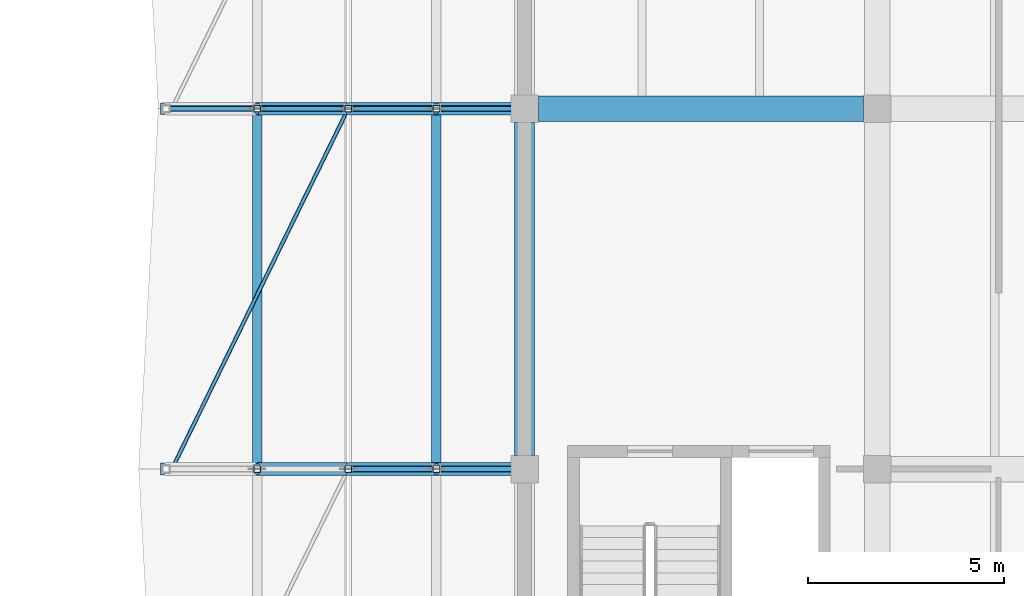
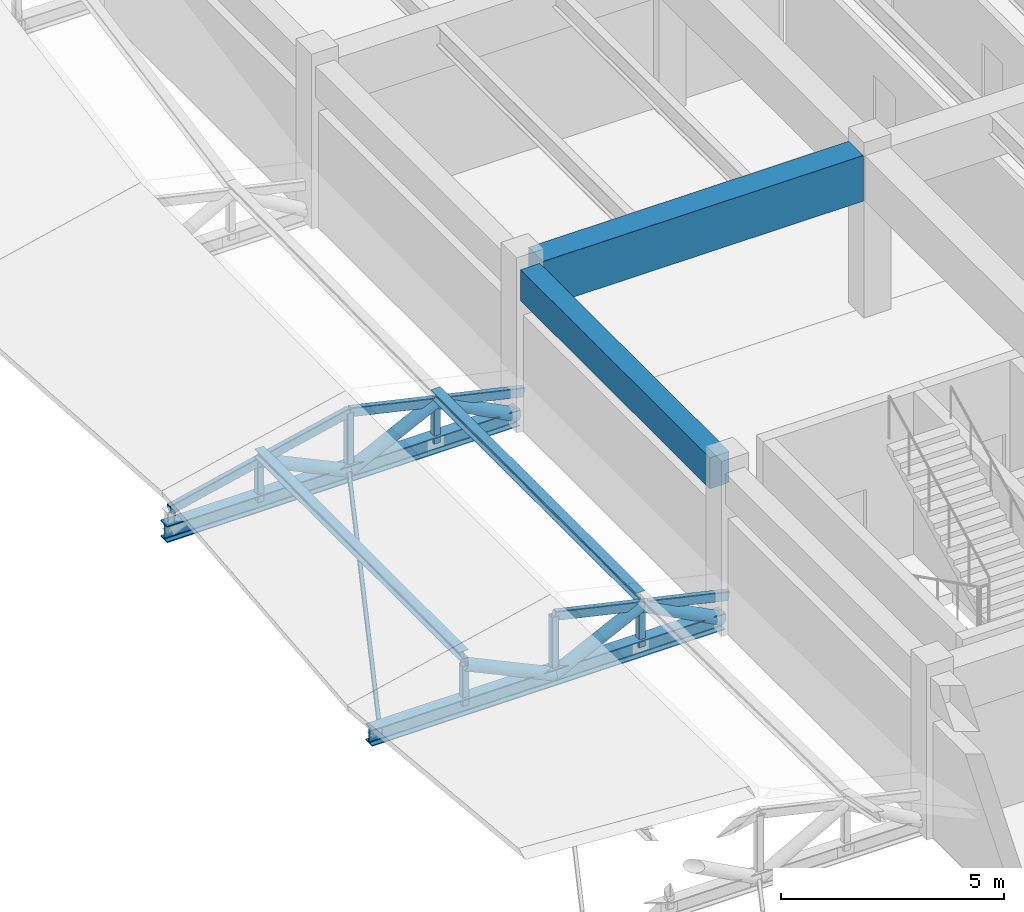
# One storey, part 43 of 90: 18 members, 4 beams.
"""IFC4 building model written with IfcOpenShell, lengths in metres."""

from ifc_helpers import new_model, si_unit, direction, frame, origin, origin_2d, place, context, subcontext, project, spatial, rectangle, hollow_rectangle, hollow_circle, i_section, extrude, material, material_profile, profile_set, type_object, element, save


model = new_model("IFC4")

# Units and contexts
model_context = context("Model", 3, precision=1e-05, world=origin(), true_north=direction((0.0, 1.0)))
body_context = subcontext(model_context, "Body", "Model", "MODEL_VIEW")
ifc_project = project(units=[si_unit("LENGTHUNIT", "METRE"), si_unit("AREAUNIT", "SQUARE_METRE"), si_unit("VOLUMEUNIT", "CUBIC_METRE"), si_unit("PLANEANGLEUNIT", "RADIAN"), si_unit("MASSUNIT", "GRAM", prefix="KILO")], contexts=[model_context])

# Site, building, storey
site_placement = place(None, origin())
site = spatial("IfcSite", under=ifc_project, at=site_placement, CompositionType="ELEMENT")
building_placement = place(site_placement, origin())
building = spatial("IfcBuilding", under=site, at=building_placement, Name="Bozkorgan Art Gallery", CompositionType="ELEMENT")
storey_placement = place(building_placement, frame((0.0, 0.0, 5.39990234375)))
storey = spatial("IfcBuildingStorey", under=building, at=storey_placement, Name="L01", CompositionType="ELEMENT", Elevation=5.39990234375)

# Beams
ifc_material_1 = material(Name="Concrete C35/45", Category="concrete")
ifc_material_profile_1 = material_profile(ifc_material_1, rectangle(XDim=0.64990234375, YDim=1.25, at=origin_2d()), Name="RC 650x1250")
ifc_profile_set_1 = profile_set([ifc_material_profile_1], Name="Concrete C35/45")
beam_type_1 = type_object("IfcBeamType", Name="BEAM-BM-54", PredefinedType="BEAM", material=ifc_profile_set_1)
beam_1_placement = place(storey_placement, frame((137.35009765625, 93.60009765625, 3.815185546875), z_axis=(1.0, 0.0, 0.0), x_axis=(0.0, 1.0, 0.0)))
element("IfcBeam", 1, at=beam_1_placement, inside=storey, type_object=beam_type_1, Name="V5 L01 beam X (137-146, 93.6)", PredefinedType="BEAM", context=body_context, shape_type="SweptSolid", body=[
    extrude(rectangle(XDim=0.64990234375, YDim=1.25, at=origin_2d()), origin(), (0.0, 0.0, 1.0), 8.2998046875),
])
ifc_material_profile_2 = material_profile(ifc_material_1, rectangle(XDim=0.5, YDim=0.85009765625, at=origin_2d()), Name="RC 500x850")
ifc_profile_set_2 = profile_set([ifc_material_profile_2], Name="Concrete C35/45")
beam_type_2 = type_object("IfcBeamType", Name="BEAM-SP-30", PredefinedType="SPANDREL", material=ifc_profile_set_2)
beam_2_placement = place(storey_placement, frame((137.0, 84.75, 4.01513671875), z_axis=(0.0, 1.0, 0.0), x_axis=(-1.0, 0.0, 0.0)))
element("IfcBeam", 2, at=beam_2_placement, inside=storey, type_object=beam_type_2, Name="V5 L01 spandrel Y (137, 84.4-93.6)", PredefinedType="SPANDREL", context=body_context, shape_type="SweptSolid", body=[
    extrude(rectangle(XDim=0.5, YDim=0.85009765625, at=origin_2d()), origin(), (0.0, 0.0, 1.0), 8.5),
])
ifc_material_2 = material(Name="Steel S355J2", Category="steel")
ifc_material_profile_3 = material_profile(ifc_material_2, i_section(OverallWidth=0.300048828125, OverallDepth=0.449951171875, WebThickness=0.013916015625, FlangeThickness=0.02587890625, FilletRadius=0.027099609375, at=origin_2d()), Name="HEB 450")
ifc_profile_set_3 = profile_set([ifc_material_profile_3], Name="Steel S355J2")
beam_type_3 = type_object("IfcBeamType", Name="BEAM-TB-37", PredefinedType="BEAM", material=ifc_profile_set_3)
for number, where, z_axis, x_axis, name in (
    (3, (127.7099609375, 84.39990234375, 0.22509765625), (1.0, 0.0, 0.0), (0.0, 1.0, 0.0), "ROOF-V5-DOCK roof truss 3 bottom chord"),
    (4, (127.7099609375, 93.60009765625, 0.22509765625), (1.0, 0.0, 0.0), (0.0, 1.0, 0.0), "ROOF-V5-DOCK roof truss 4 bottom chord"),
):
    element("IfcBeam", number, at=place(storey_placement, frame(where, z_axis=z_axis, x_axis=x_axis)), inside=storey, type_object=beam_type_3, Name=name, PredefinedType="BEAM", context=body_context, shape_type="SweptSolid", body=[
        extrude(i_section(OverallWidth=0.300048828125, OverallDepth=0.449951171875, WebThickness=0.013916015625, FlangeThickness=0.02587890625, FilletRadius=0.027099609375, at=origin_2d()), origin(), (0.0, 0.0, 1.0), 9.14013671875),
    ])

# Members
ifc_material_profile_4 = material_profile(ifc_material_2, i_section(OverallWidth=0.239990234375, OverallDepth=0.22998046875, WebThickness=0.007568359375, FlangeThickness=0.011962890625, FilletRadius=0.02099609375, at=origin_2d()), Name="HEA 240")
ifc_profile_set_4 = profile_set([ifc_material_profile_4], Name="Steel S355J2")
member_type_1 = type_object("IfcMemberType", Name="MEMBER-PR-93", PredefinedType="PURLIN", material=ifc_profile_set_4)
for number, where, z_axis, x_axis, name in (
    (5, (130.175048828125, 84.39990234375, 1.55126953125), (0.0, 1.0, 0.0), (-1.0, 0.0, 0.0), "ROOF-V5-DOCK roof purlin 3W"),
    (6, (134.75, 84.39990234375, 1.568115234375), (0.0, 1.0, 0.0), (-1.0, 0.0, 0.0), "ROOF-V5-DOCK roof purlin 3E"),
):
    element("IfcMember", number, at=place(storey_placement, frame(where, z_axis=z_axis, x_axis=x_axis)), inside=storey, type_object=member_type_1, Name=name, PredefinedType="PURLIN", context=body_context, shape_type="SweptSolid", body=[
        extrude(i_section(OverallWidth=0.239990234375, OverallDepth=0.22998046875, WebThickness=0.007568359375, FlangeThickness=0.011962890625, FilletRadius=0.02099609375, at=origin_2d()), origin(), (0.0, 0.0, 1.0), 9.2001953125),
    ])
ifc_material_profile_5 = material_profile(ifc_material_2, hollow_rectangle(XDim=0.14990234375, YDim=0.25, WallThickness=0.010009765625, InnerFilletRadius=0.014892578125, OuterFilletRadius=0.02490234375, at=origin_2d()), Name="RHS 250x150x10")
ifc_profile_set_5 = profile_set([ifc_material_profile_5], Name="Steel S355J2")
member_type_2 = type_object("IfcMemberType", Name="MEMBER-TC-35", PredefinedType="CHORD", material=ifc_profile_set_5)
member_1_placement = place(storey_placement, frame((132.5, 84.39990234375, 1.83935546875), z_axis=(0.975145326943, 0.0, -0.221566223375), x_axis=(0.0, 1.0, 0.0)))
element("IfcMember", 7, at=member_1_placement, inside=storey, type_object=member_type_2, Name="ROOF-V5-DOCK roof truss 3 east top chord", PredefinedType="CHORD", context=body_context, shape_type="SweptSolid", body=[
    extrude(hollow_rectangle(XDim=0.14990234375, YDim=0.25, WallThickness=0.010009765625, InnerFilletRadius=0.014892578125, OuterFilletRadius=0.02490234375, at=origin_2d()), origin(), (0.0, 0.0, 1.0), 4.61474609375),
])
member_2_placement = place(storey_placement, frame((127.85009765625, 93.60009765625, 0.782958984375), z_axis=(0.975150958549, 0.0, 0.221541436398), x_axis=(0.0, 1.0, 0.0)))
element("IfcMember", 8, at=member_2_placement, inside=storey, type_object=member_type_2, Name="ROOF-V5-DOCK roof truss 4 west top chord", PredefinedType="CHORD", context=body_context, shape_type="SweptSolid", body=[
    extrude(hollow_rectangle(XDim=0.14990234375, YDim=0.25, WallThickness=0.010009765625, InnerFilletRadius=0.014892578125, OuterFilletRadius=0.02490234375, at=origin_2d()), origin(), (0.0, 0.0, 1.0), 4.768310546875),
])
member_3_placement = place(storey_placement, frame((132.5, 93.60009765625, 1.83935546875), z_axis=(0.975145326943, 0.0, -0.221566223375), x_axis=(0.0, 1.0, 0.0)))
element("IfcMember", 9, at=member_3_placement, inside=storey, type_object=member_type_2, Name="ROOF-V5-DOCK roof truss 4 east top chord", PredefinedType="CHORD", context=body_context, shape_type="SweptSolid", body=[
    extrude(hollow_rectangle(XDim=0.14990234375, YDim=0.25, WallThickness=0.010009765625, InnerFilletRadius=0.014892578125, OuterFilletRadius=0.02490234375, at=origin_2d()), origin(), (0.0, 0.0, 1.0), 4.61474609375),
])
ifc_material_profile_6 = material_profile(ifc_material_2, hollow_rectangle(XDim=0.179931640625, YDim=0.179931640625, WallThickness=0.010009765625, InnerFilletRadius=0.014892578125, OuterFilletRadius=0.02490234375, at=origin_2d()), Name="SHS 180x180x10")
ifc_profile_set_6 = profile_set([ifc_material_profile_6], Name="Steel S355J2")
member_type_3 = type_object("IfcMemberType", Name="MEMBER-TP-98", PredefinedType="POST", material=ifc_profile_set_6)
member_4_placement = place(storey_placement, frame((130.175048828125, 84.39990234375, 0.22509765625), z_axis=(0.0, 0.0, 1.0), x_axis=(1.0, 0.0, 0.0)))
element("IfcMember", 10, at=member_4_placement, inside=storey, type_object=member_type_3, Name="ROOF-V5-DOCK roof truss 3 post 1", PredefinedType="POST", context=body_context, shape_type="SweptSolid", body=[
    extrude(hollow_rectangle(XDim=0.179931640625, YDim=0.179931640625, WallThickness=0.010009765625, InnerFilletRadius=0.014892578125, OuterFilletRadius=0.02490234375, at=origin_2d()), origin(), (0.0, 0.0, 1.0), 1.086181640625),
])
member_5_placement = place(storey_placement, frame((132.5, 84.39990234375, 0.22509765625), z_axis=(0.0, 0.0, 1.0), x_axis=(1.0, 0.0, 0.0)))
element("IfcMember", 11, at=member_5_placement, inside=storey, type_object=member_type_3, Name="ROOF-V5-DOCK roof truss 3 post 2", PredefinedType="POST", context=body_context, shape_type="SweptSolid", body=[
    extrude(hollow_rectangle(XDim=0.179931640625, YDim=0.179931640625, WallThickness=0.010009765625, InnerFilletRadius=0.014892578125, OuterFilletRadius=0.02490234375, at=origin_2d()), origin(), (0.0, 0.0, 1.0), 1.6142578125),
])
member_6_placement = place(storey_placement, frame((134.75, 84.39990234375, 0.22509765625), z_axis=(0.0, 0.0, 1.0), x_axis=(1.0, 0.0, 0.0)))
element("IfcMember", 12, at=member_6_placement, inside=storey, type_object=member_type_3, Name="ROOF-V5-DOCK roof truss 3 post 3", PredefinedType="POST", context=body_context, shape_type="SweptSolid", body=[
    extrude(hollow_rectangle(XDim=0.179931640625, YDim=0.179931640625, WallThickness=0.010009765625, InnerFilletRadius=0.014892578125, OuterFilletRadius=0.02490234375, at=origin_2d()), origin(), (0.0, 0.0, 1.0), 1.10302734375),
])
member_7_placement = place(storey_placement, frame((130.175048828125, 93.60009765625, 0.22509765625), z_axis=(0.0, 0.0, 1.0), x_axis=(1.0, 0.0, 0.0)))
element("IfcMember", 13, at=member_7_placement, inside=storey, type_object=member_type_3, Name="ROOF-V5-DOCK roof truss 4 post 1", PredefinedType="POST", context=body_context, shape_type="SweptSolid", body=[
    extrude(hollow_rectangle(XDim=0.179931640625, YDim=0.179931640625, WallThickness=0.010009765625, InnerFilletRadius=0.014892578125, OuterFilletRadius=0.02490234375, at=origin_2d()), origin(), (0.0, 0.0, 1.0), 1.086181640625),
])
member_8_placement = place(storey_placement, frame((132.5, 93.60009765625, 0.22509765625), z_axis=(0.0, 0.0, 1.0), x_axis=(1.0, 0.0, 0.0)))
element("IfcMember", 14, at=member_8_placement, inside=storey, type_object=member_type_3, Name="ROOF-V5-DOCK roof truss 4 post 2", PredefinedType="POST", context=body_context, shape_type="SweptSolid", body=[
    extrude(hollow_rectangle(XDim=0.179931640625, YDim=0.179931640625, WallThickness=0.010009765625, InnerFilletRadius=0.014892578125, OuterFilletRadius=0.02490234375, at=origin_2d()), origin(), (0.0, 0.0, 1.0), 1.6142578125),
])
member_9_placement = place(storey_placement, frame((134.75, 93.60009765625, 0.22509765625), z_axis=(0.0, 0.0, 1.0), x_axis=(1.0, 0.0, 0.0)))
element("IfcMember", 15, at=member_9_placement, inside=storey, type_object=member_type_3, Name="ROOF-V5-DOCK roof truss 4 post 3", PredefinedType="POST", context=body_context, shape_type="SweptSolid", body=[
    extrude(hollow_rectangle(XDim=0.179931640625, YDim=0.179931640625, WallThickness=0.010009765625, InnerFilletRadius=0.014892578125, OuterFilletRadius=0.02490234375, at=origin_2d()), origin(), (0.0, 0.0, 1.0), 1.10302734375),
])
ifc_material_profile_7 = material_profile(ifc_material_2, hollow_circle(Radius=0.161865234375, WallThickness=0.012451171875, at=origin_2d()), Name="CHS 323.9x12.5")
ifc_profile_set_7 = profile_set([ifc_material_profile_7], Name="Steel S355J2")
member_type_4 = type_object("IfcMemberType", Name="MEMBER-TW-97", PredefinedType="BRACE", material=ifc_profile_set_7)
member_10_placement = place(storey_placement, frame((130.175048828125, 84.39990234375, 1.311279296875), z_axis=(0.906003197804, 0.0, -0.42327084186), x_axis=(0.0, 1.0, 0.0)))
element("IfcMember", 16, at=member_10_placement, inside=storey, type_object=member_type_4, Name="ROOF-V5-DOCK roof truss 3 diagonal 2", PredefinedType="BRACE", context=body_context, shape_type="SweptSolid", body=[
    extrude(hollow_circle(Radius=0.161865234375, WallThickness=0.012451171875, at=origin_2d()), origin(), (0.0, 0.0, 1.0), 2.566162109375),
])
member_11_placement = place(storey_placement, frame((132.5, 84.39990234375, 0.22509765625), z_axis=(0.897907131747, 0.0, 0.44018494154), x_axis=(0.0, 1.0, 0.0)))
element("IfcMember", 17, at=member_11_placement, inside=storey, type_object=member_type_4, Name="ROOF-V5-DOCK roof truss 3 diagonal 3", PredefinedType="BRACE", context=body_context, shape_type="SweptSolid", body=[
    extrude(hollow_circle(Radius=0.161865234375, WallThickness=0.012451171875, at=origin_2d()), origin(), (0.0, 0.0, 1.0), 2.505859375),
])
member_12_placement = place(storey_placement, frame((134.75, 84.39990234375, 1.328125), z_axis=(0.885315290881, 0.0, -0.464991221135), x_axis=(0.0, 1.0, 0.0)))
element("IfcMember", 18, at=member_12_placement, inside=storey, type_object=member_type_4, Name="ROOF-V5-DOCK roof truss 3 diagonal 4", PredefinedType="BRACE", context=body_context, shape_type="SweptSolid", body=[
    extrude(hollow_circle(Radius=0.161865234375, WallThickness=0.012451171875, at=origin_2d()), origin(), (0.0, 0.0, 1.0), 2.3720703125),
])
member_13_placement = place(storey_placement, frame((130.175048828125, 93.60009765625, 1.311279296875), z_axis=(0.906003197804, 0.0, -0.42327084186), x_axis=(0.0, 1.0, 0.0)))
element("IfcMember", 19, at=member_13_placement, inside=storey, type_object=member_type_4, Name="ROOF-V5-DOCK roof truss 4 diagonal 2", PredefinedType="BRACE", context=body_context, shape_type="SweptSolid", body=[
    extrude(hollow_circle(Radius=0.161865234375, WallThickness=0.012451171875, at=origin_2d()), origin(), (0.0, 0.0, 1.0), 2.566162109375),
])
member_14_placement = place(storey_placement, frame((132.5, 93.60009765625, 0.22509765625), z_axis=(0.897907131747, 0.0, 0.44018494154), x_axis=(0.0, 1.0, 0.0)))
element("IfcMember", 20, at=member_14_placement, inside=storey, type_object=member_type_4, Name="ROOF-V5-DOCK roof truss 4 diagonal 3", PredefinedType="BRACE", context=body_context, shape_type="SweptSolid", body=[
    extrude(hollow_circle(Radius=0.161865234375, WallThickness=0.012451171875, at=origin_2d()), origin(), (0.0, 0.0, 1.0), 2.505859375),
])
member_15_placement = place(storey_placement, frame((134.75, 93.60009765625, 1.328125), z_axis=(0.885315290881, 0.0, -0.464991221135), x_axis=(0.0, 1.0, 0.0)))
element("IfcMember", 21, at=member_15_placement, inside=storey, type_object=member_type_4, Name="ROOF-V5-DOCK roof truss 4 diagonal 4", PredefinedType="BRACE", context=body_context, shape_type="SweptSolid", body=[
    extrude(hollow_circle(Radius=0.161865234375, WallThickness=0.012451171875, at=origin_2d()), origin(), (0.0, 0.0, 1.0), 2.3720703125),
])
ifc_material_profile_8 = material_profile(ifc_material_2, hollow_rectangle(XDim=0.10009765625, YDim=0.14990234375, WallThickness=0.008056640625, InnerFilletRadius=0.011962890625, OuterFilletRadius=0.02001953125, at=origin_2d()), Name="RHS 150x100x8")
ifc_profile_set_8 = profile_set([ifc_material_profile_8], Name="Steel S355J2")
member_type_5 = type_object("IfcMemberType", Name="MEMBER-WB-10", PredefinedType="BRACE", material=ifc_profile_set_8)
member_16_placement = place(storey_placement, frame((128.0, 84.39990234375, 0.22509765625), z_axis=(0.4393777203, 0.898302409494, 0.0), x_axis=(-0.898302409494, 0.4393777203, 0.0)))
element("IfcMember", 22, at=member_16_placement, inside=storey, type_object=member_type_5, Name="ROOF-V5-DOCK roof diaphragm wind brace 3", PredefinedType="BRACE", context=body_context, shape_type="SweptSolid", body=[
    extrude(hollow_rectangle(XDim=0.10009765625, YDim=0.14990234375, WallThickness=0.008056640625, InnerFilletRadius=0.011962890625, OuterFilletRadius=0.02001953125, at=origin_2d()), origin(), (0.0, 0.0, 1.0), 10.24169921875),
])

save(model, "model.ifc")
